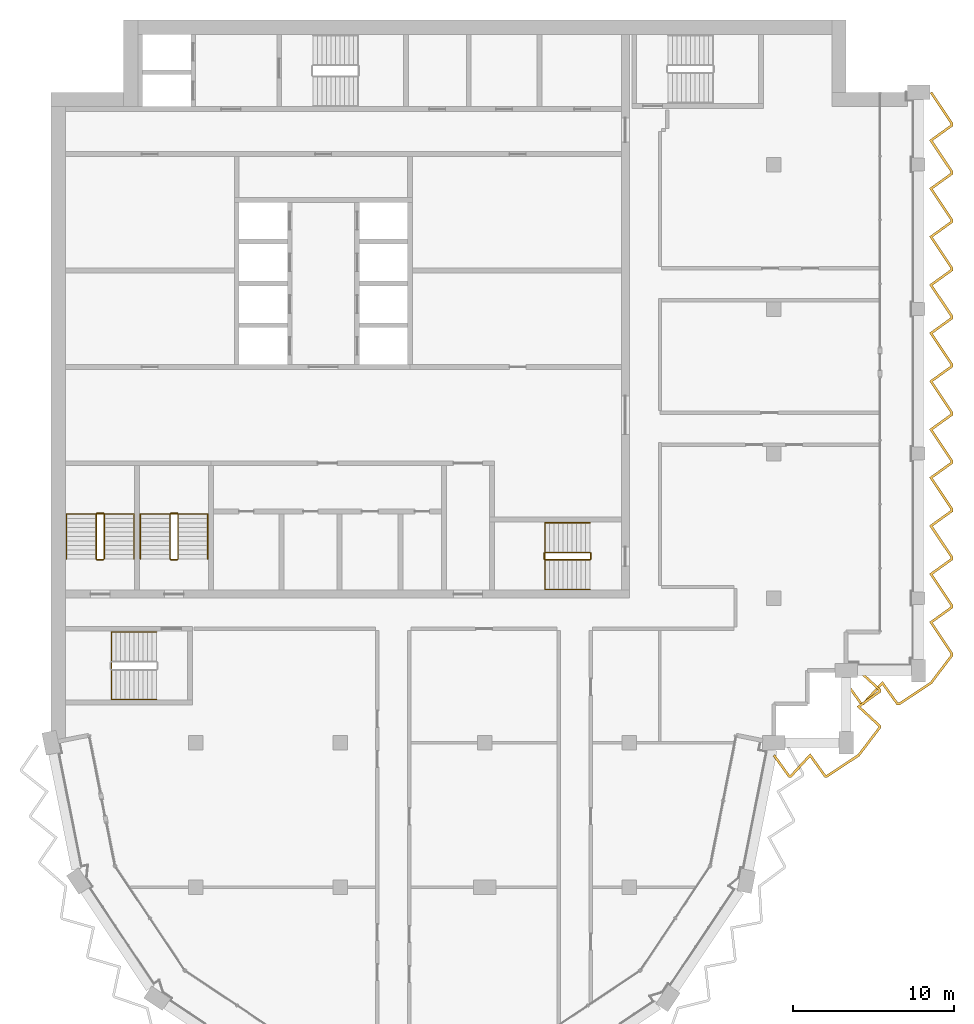
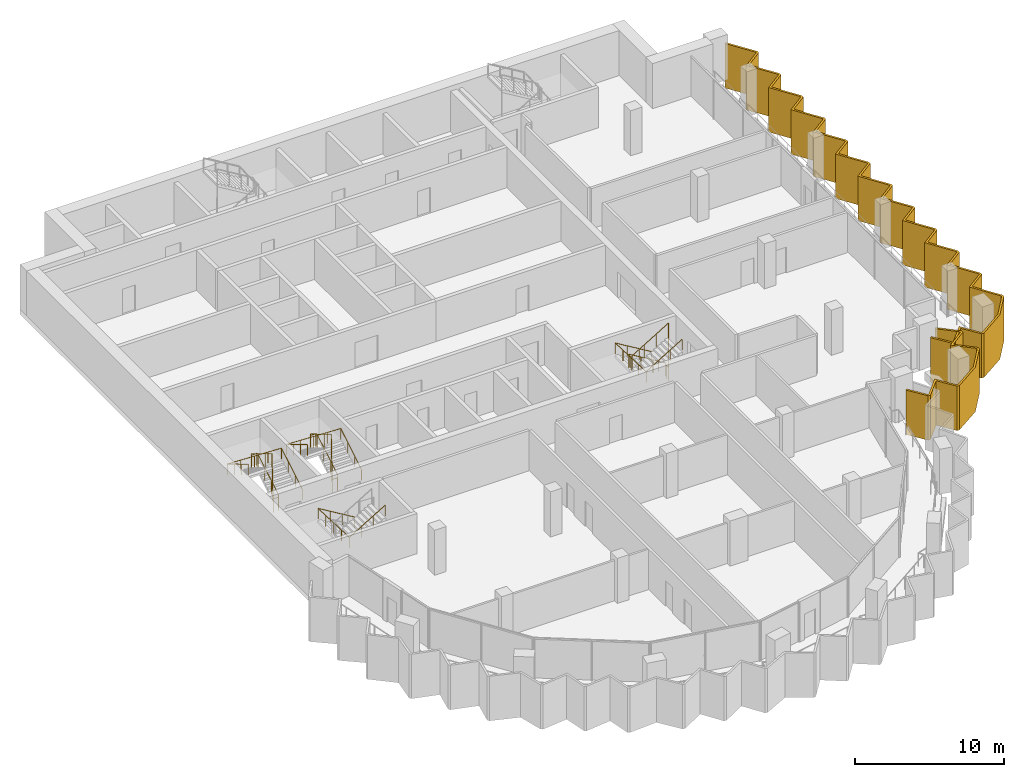
# One storey, part 13 of 14: 7 railings, 2 shading devices.
"""IFC4 building model written with IfcOpenShell, lengths in metres."""

from ifc_helpers import new_model, si_unit, direction, frame, origin, origin_2d, place, context, subcontext, project, spatial, polyline, circle, outline, extrude, material, layer, layer_set, type_object, element, save


model = new_model("IFC4")

# Units and contexts
model_context = context("Model", 3, precision=1e-05, world=origin(), true_north=direction((0.0, 1.0)))
body_context = subcontext(model_context, "Body", "Model", "MODEL_VIEW")
ifc_project = project(units=[si_unit("LENGTHUNIT", "METRE"), si_unit("AREAUNIT", "SQUARE_METRE"), si_unit("VOLUMEUNIT", "CUBIC_METRE"), si_unit("PLANEANGLEUNIT", "RADIAN"), si_unit("MASSUNIT", "GRAM", prefix="KILO")], contexts=[model_context])

# Site, building, storey
site_placement = place(None, origin())
site = spatial("IfcSite", under=ifc_project, at=site_placement, CompositionType="ELEMENT")
building_placement = place(site_placement, origin())
building = spatial("IfcBuilding", under=site, at=building_placement, Name="Hunhe Ridgeline Campus", CompositionType="ELEMENT")
storey_placement = place(building_placement, frame((0.0, 0.0, 284.5)))
storey = spatial("IfcBuildingStorey", under=building, at=storey_placement, Name="L73", CompositionType="ELEMENT", Elevation=284.5)

# Shading devices
ifc_material_1 = material(Name="Concrete C50", Category="concrete")
ifc_layer = layer(ifc_material_1, 0.14990234375)
ifc_layer_set = layer_set([ifc_layer], Name="Sawtooth concrete fin 150 Concrete C50")
shading_device_type = type_object("IfcShadingDeviceType", Name="Sawtooth concrete fin 150 Concrete C50", PredefinedType="USERDEFINED", material=ifc_layer_set)
shading_device_1_placement = place(storey_placement, frame((0.0, 0.0, -0.949951171875)))
element("IfcShadingDevice", 1, at=shading_device_1_placement, inside=storey, type_object=shading_device_type, Name="Concrete fin screen 2", ObjectType="FIN", PredefinedType="USERDEFINED", context=body_context, shape_type="SweptSolid", body=[
    extrude(outline(polyline([(45.060791015625, 53.268798828125), (44.939208984375, 53.18115234375), (45.896484375, 51.85009765625), (46.087890625, 51.85009765625), (47.242919921875, 53.1064453125), (48.146484375, 51.85009765625), (48.32763671875, 51.85009765625), (50.326904296875, 53.16943359375), (51.64990234375, 54.90966796875), (51.64990234375, 55.087890625), (50.3935546875, 56.242919921875), (51.64990234375, 57.146484375), (51.64990234375, 57.337890625), (50.32568359375, 58.55517578125), (50.224365234375, 58.44482421875), (51.5, 57.27197265625), (51.5, 57.223388671875), (50.156494140625, 56.257080078125), (51.5, 55.02197265625), (51.5, 54.960205078125), (50.22314453125, 53.280517578125), (48.282470703125, 52.0), (48.223388671875, 52.0), (47.257080078125, 53.343505859375), (46.02197265625, 52.0), (45.973388671875, 52.0), (45.060791015625, 53.268798828125)])), origin(), (0.0, 0.0, 1.0), 3.64990234375),
])
shading_device_2_placement = place(storey_placement, frame((0.0, 0.0, -0.949951171875)))
element("IfcShadingDevice", 2, at=shading_device_2_placement, inside=storey, type_object=shading_device_type, Name="Concrete fin screen 3", ObjectType="FIN", PredefinedType="USERDEFINED", context=body_context, shape_type="SweptSolid", body=[
    extrude(outline(polyline([(49.560791015625, 57.768798828125), (49.439208984375, 57.68115234375), (50.396484375, 56.35009765625), (50.587890625, 56.35009765625), (51.742919921875, 57.6064453125), (52.646484375, 56.35009765625), (52.82763671875, 56.35009765625), (54.826904296875, 57.66943359375), (56.14990234375, 59.40966796875), (56.14990234375, 59.577880859375), (54.877685546875, 61.4814453125), (56.14990234375, 62.396484375), (56.14990234375, 62.577880859375), (54.877685546875, 64.4814453125), (56.14990234375, 65.396484375), (56.14990234375, 65.577880859375), (54.877685546875, 67.4814453125), (56.14990234375, 68.396484375), (56.14990234375, 68.577880859375), (54.877685546875, 70.4814453125), (56.14990234375, 71.396484375), (56.14990234375, 71.577880859375), (54.877685546875, 73.4814453125), (56.14990234375, 74.396484375), (56.14990234375, 74.577880859375), (54.877685546875, 76.4814453125), (56.14990234375, 77.396484375), (56.14990234375, 77.577880859375), (54.877685546875, 79.4814453125), (56.14990234375, 80.396484375), (56.14990234375, 80.577880859375), (54.877685546875, 82.4814453125), (56.14990234375, 83.396484375), (56.14990234375, 83.577880859375), (54.877685546875, 85.4814453125), (56.14990234375, 86.396484375), (56.14990234375, 86.577880859375), (54.877685546875, 88.4814453125), (56.14990234375, 89.396484375), (56.14990234375, 89.577880859375), (54.877685546875, 91.4814453125), (56.14990234375, 92.396484375), (56.14990234375, 92.577880859375), (54.83740234375, 94.541748046875), (54.712646484375, 94.458251953125), (56.0, 92.5322265625), (56.0, 92.473388671875), (54.67236328125, 91.5185546875), (56.0, 89.5322265625), (56.0, 89.473388671875), (54.67236328125, 88.5185546875), (56.0, 86.5322265625), (56.0, 86.473388671875), (54.67236328125, 85.5185546875), (56.0, 83.5322265625), (56.0, 83.473388671875), (54.67236328125, 82.5185546875), (56.0, 80.5322265625), (56.0, 80.473388671875), (54.67236328125, 79.5185546875), (56.0, 77.5322265625), (56.0, 77.473388671875), (54.67236328125, 76.5185546875), (56.0, 74.5322265625), (56.0, 74.473388671875), (54.67236328125, 73.5185546875), (56.0, 71.5322265625), (56.0, 71.473388671875), (54.67236328125, 70.5185546875), (56.0, 68.5322265625), (56.0, 68.473388671875), (54.67236328125, 67.5185546875), (56.0, 65.5322265625), (56.0, 65.473388671875), (54.67236328125, 64.5185546875), (56.0, 62.5322265625), (56.0, 62.473388671875), (54.67236328125, 61.5185546875), (56.0, 59.5322265625), (56.0, 59.460205078125), (54.72314453125, 57.780517578125), (52.782470703125, 56.5), (52.723388671875, 56.5), (51.757080078125, 57.843505859375), (50.52197265625, 56.5), (50.473388671875, 56.5), (49.560791015625, 57.768798828125)])), origin(), (0.0, 0.0, 1.0), 3.64990234375),
])

# Railings
ifc_material_2 = material(Name="Stainless steel balustrade", Category="steel")
railing_type_1 = type_object("IfcRailingType", Name="Stair guard 1100 stainless", PredefinedType="GUARDRAIL", material=ifc_material_2)
railing_1_placement = place(storey_placement, frame((33.550048828125, 65.85009765625, 0.168212890625)))
element("IfcRailing", 3, at=railing_1_placement, inside=storey, type_object=railing_type_1, Name="L73 stair S2 guard", PredefinedType="GUARDRAIL", context=body_context, shape_type="SweptSolid", body=[
    extrude(circle(Radius=0.02392578125, at=origin_2d()), frame((0.0, 0.0, 1.076171875), z_axis=(-0.857242210791, 0.0, 0.514913383045), x_axis=(0.0, -1.0, 0.0)), (0.0, 0.0, 1.0), 3.266357421875),
    extrude(circle(Radius=0.02392578125, at=origin_2d()), frame((-2.800048828125, 0.0, 2.7578125), z_axis=(-0.707106781187, -0.707106781187, 0.0), x_axis=(0.707106781187, -0.707106781187, 0.0)), (0.0, 0.0, 1.0), 0.07080078125),
    extrude(circle(Radius=0.02392578125, at=origin_2d()), frame((-2.85009765625, -0.050048828125, 2.7578125), z_axis=(0.0, -1.0, 0.0), x_axis=(1.0, 0.0, 0.0)), (0.0, 0.0, 1.0), 0.35009765625),
    extrude(circle(Radius=0.02392578125, at=origin_2d()), frame((-2.85009765625, -0.400146484375, 2.7578125), z_axis=(0.274582412415, -0.274582412415, 0.921525364591), x_axis=(0.707106781187, 0.707106781187, 0.0)), (0.0, 0.0, 1.0), 0.182373046875),
    extrude(circle(Radius=0.02392578125, at=origin_2d()), frame((-2.800048828125, -0.4501953125, 2.92578125), z_axis=(0.857242210791, 0.0, 0.514913383045), x_axis=(0.0, 1.0, 0.0)), (0.0, 0.0, 1.0), 3.266357421875),
    extrude(circle(Radius=0.02392578125, at=origin_2d()), frame((0.0, -0.4501953125, 4.60791015625), z_axis=(0.013524414389, 0.013524414389, -0.999817073484), x_axis=(-0.707106781187, 0.707106781187, 0.0)), (0.0, 0.0, 1.0), 3.70068359375),
    extrude(circle(Radius=0.02392578125, at=origin_2d()), frame((0.050048828125, -0.400146484375, 0.90771484375), z_axis=(0.0, 1.0, 0.0), x_axis=(-1.0, 0.0, 0.0)), (0.0, 0.0, 1.0), 0.35009765625),
    extrude(circle(Radius=0.02099609375, at=origin_2d()), origin(), (0.0, 0.0, 1.0), 1.052001953125),
    extrude(circle(Radius=0.02099609375, at=origin_2d()), frame((-0.933349609375, 0.0, 0.560546875)), (0.0, 0.0, 1.0), 1.052001953125),
    extrude(circle(Radius=0.02099609375, at=origin_2d()), frame((-1.86669921875, 0.0, 1.121337890625)), (0.0, 0.0, 1.0), 1.052001953125),
    extrude(circle(Radius=0.02099609375, at=origin_2d()), frame((-2.800048828125, 0.0, 1.681884765625)), (0.0, 0.0, 1.0), 1.052001953125),
    extrude(circle(Radius=0.02099609375, at=origin_2d()), frame((-2.85009765625, -0.050048828125, 1.681884765625)), (0.0, 0.0, 1.0), 1.052001953125),
    extrude(circle(Radius=0.02099609375, at=origin_2d()), frame((-2.85009765625, -0.400146484375, 1.681884765625)), (0.0, 0.0, 1.0), 1.052001953125),
    extrude(circle(Radius=0.02099609375, at=origin_2d()), frame((-2.800048828125, -0.4501953125, 1.849853515625)), (0.0, 0.0, 1.0), 1.052001953125),
    extrude(circle(Radius=0.02099609375, at=origin_2d()), frame((-1.86669921875, -0.4501953125, 2.410400390625)), (0.0, 0.0, 1.0), 1.052001953125),
    extrude(circle(Radius=0.02099609375, at=origin_2d()), frame((-0.933349609375, -0.4501953125, 2.97119140625)), (0.0, 0.0, 1.0), 1.052001953125),
    extrude(circle(Radius=0.02099609375, at=origin_2d()), frame((0.0, -0.4501953125, 3.53173828125)), (0.0, 0.0, 1.0), 1.052001953125),
    extrude(circle(Radius=0.02099609375, at=origin_2d()), frame((0.012451171875, -0.437744140625, 2.606689453125)), (0.0, 0.0, 1.0), 1.052001953125),
    extrude(circle(Radius=0.02099609375, at=origin_2d()), frame((0.02490234375, -0.42529296875, 1.681640625)), (0.0, 0.0, 1.0), 1.052001953125),
    extrude(circle(Radius=0.02099609375, at=origin_2d()), frame((0.03759765625, -0.41259765625, 0.7568359375)), (0.0, 0.0, 1.0), 1.052001953125),
    extrude(circle(Radius=0.02099609375, at=origin_2d()), frame((0.050048828125, -0.400146484375, -0.168212890625)), (0.0, 0.0, 1.0), 1.052001953125),
    extrude(circle(Radius=0.02099609375, at=origin_2d()), frame((0.050048828125, -0.050048828125, -0.168212890625)), (0.0, 0.0, 1.0), 1.052001953125),
])
railing_2_placement = place(storey_placement, frame((3.300048828125, 65.449951171875, 0.168212890625)))
element("IfcRailing", 4, at=railing_2_placement, inside=storey, type_object=railing_type_1, Name="L73 stair S3 guard", PredefinedType="GUARDRAIL", context=body_context, shape_type="SweptSolid", body=[
    extrude(circle(Radius=0.02392578125, at=origin_2d()), frame((0.0, 0.0, 1.076171875), z_axis=(0.0, 0.857242210791, 0.514913383045), x_axis=(-1.0, 0.0, 0.0)), (0.0, 0.0, 1.0), 3.266357421875),
    extrude(circle(Radius=0.02392578125, at=origin_2d()), frame((0.0, 2.800048828125, 2.7578125), z_axis=(-0.707106781187, 0.707106781187, 0.0), x_axis=(-0.707106781187, -0.707106781187, 0.0)), (0.0, 0.0, 1.0), 0.07080078125),
    extrude(circle(Radius=0.02392578125, at=origin_2d()), frame((-0.050048828125, 2.85009765625, 2.7578125), z_axis=(-1.0, 0.0, 0.0), x_axis=(0.0, -1.0, 0.0)), (0.0, 0.0, 1.0), 0.39990234375),
    extrude(circle(Radius=0.02392578125, at=origin_2d()), frame((-0.449951171875, 2.85009765625, 2.7578125), z_axis=(-0.274582412415, -0.274582412415, 0.921525364591), x_axis=(0.707106781187, -0.707106781187, 0.0)), (0.0, 0.0, 1.0), 0.182373046875),
    extrude(circle(Radius=0.02392578125, at=origin_2d()), frame((-0.5, 2.800048828125, 2.92578125), z_axis=(0.0, -0.857242210791, 0.514913383045), x_axis=(1.0, 0.0, 0.0)), (0.0, 0.0, 1.0), 3.266357421875),
    extrude(circle(Radius=0.02392578125, at=origin_2d()), frame((-0.5, 0.0, 4.60791015625), z_axis=(0.013524414389, -0.013524414389, -0.999817073484), x_axis=(0.707106781187, 0.707106781187, 0.0)), (0.0, 0.0, 1.0), 3.70068359375),
    extrude(circle(Radius=0.02392578125, at=origin_2d()), frame((-0.449951171875, -0.050048828125, 0.90771484375), z_axis=(1.0, 0.0, 0.0), x_axis=(0.0, 1.0, 0.0)), (0.0, 0.0, 1.0), 0.39990234375),
    extrude(circle(Radius=0.02099609375, at=origin_2d()), origin(), (0.0, 0.0, 1.0), 1.052001953125),
    extrude(circle(Radius=0.02099609375, at=origin_2d()), frame((0.0, 0.933349609375, 0.560546875)), (0.0, 0.0, 1.0), 1.052001953125),
    extrude(circle(Radius=0.02099609375, at=origin_2d()), frame((0.0, 1.86669921875, 1.121337890625)), (0.0, 0.0, 1.0), 1.052001953125),
    extrude(circle(Radius=0.02099609375, at=origin_2d()), frame((0.0, 2.800048828125, 1.681884765625)), (0.0, 0.0, 1.0), 1.052001953125),
    extrude(circle(Radius=0.02099609375, at=origin_2d()), frame((-0.050048828125, 2.85009765625, 1.681884765625)), (0.0, 0.0, 1.0), 1.052001953125),
    extrude(circle(Radius=0.02099609375, at=origin_2d()), frame((-0.449951171875, 2.85009765625, 1.681884765625)), (0.0, 0.0, 1.0), 1.052001953125),
    extrude(circle(Radius=0.02099609375, at=origin_2d()), frame((-0.5, 2.800048828125, 1.849853515625)), (0.0, 0.0, 1.0), 1.052001953125),
    extrude(circle(Radius=0.02099609375, at=origin_2d()), frame((-0.5, 1.86669921875, 2.410400390625)), (0.0, 0.0, 1.0), 1.052001953125),
    extrude(circle(Radius=0.02099609375, at=origin_2d()), frame((-0.5, 0.933349609375, 2.97119140625)), (0.0, 0.0, 1.0), 1.052001953125),
    extrude(circle(Radius=0.02099609375, at=origin_2d()), frame((-0.5, 0.0, 3.53173828125)), (0.0, 0.0, 1.0), 1.052001953125),
    extrude(circle(Radius=0.02099609375, at=origin_2d()), frame((-0.487548828125, -0.012451171875, 2.606689453125)), (0.0, 0.0, 1.0), 1.052001953125),
    extrude(circle(Radius=0.02099609375, at=origin_2d()), frame((-0.47509765625, -0.02490234375, 1.681640625)), (0.0, 0.0, 1.0), 1.052001953125),
    extrude(circle(Radius=0.02099609375, at=origin_2d()), frame((-0.46240234375, -0.03759765625, 0.7568359375)), (0.0, 0.0, 1.0), 1.052001953125),
    extrude(circle(Radius=0.02099609375, at=origin_2d()), frame((-0.449951171875, -0.050048828125, -0.168212890625)), (0.0, 0.0, 1.0), 1.052001953125),
    extrude(circle(Radius=0.02099609375, at=origin_2d()), frame((-0.050048828125, -0.050048828125, -0.168212890625)), (0.0, 0.0, 1.0), 1.052001953125),
])
railing_3_placement = place(storey_placement, frame((7.89990234375, 65.449951171875, 0.168212890625)))
element("IfcRailing", 5, at=railing_3_placement, inside=storey, type_object=railing_type_1, Name="L73 stair S4 guard", PredefinedType="GUARDRAIL", context=body_context, shape_type="SweptSolid", body=[
    extrude(circle(Radius=0.02392578125, at=origin_2d()), frame((0.0, 0.0, 1.076171875), z_axis=(0.0, 0.857242210791, 0.514913383045), x_axis=(-1.0, 0.0, 0.0)), (0.0, 0.0, 1.0), 3.266357421875),
    extrude(circle(Radius=0.02392578125, at=origin_2d()), frame((0.0, 2.800048828125, 2.7578125), z_axis=(-0.705375805398, 0.708833529934, 0.0), x_axis=(-0.708833529934, -0.705375805398, 0.0)), (0.0, 0.0, 1.0), 0.070556640625),
    extrude(circle(Radius=0.02392578125, at=origin_2d()), frame((-0.0498046875, 2.85009765625, 2.7578125), z_axis=(-1.0, 0.0, 0.0), x_axis=(0.0, -1.0, 0.0)), (0.0, 0.0, 1.0), 0.400146484375),
    extrude(circle(Radius=0.02392578125, at=origin_2d()), frame((-0.449951171875, 2.85009765625, 2.7578125), z_axis=(-0.274582412415, -0.274582412415, 0.921525364591), x_axis=(0.707106781187, -0.707106781187, 0.0)), (0.0, 0.0, 1.0), 0.182373046875),
    extrude(circle(Radius=0.02392578125, at=origin_2d()), frame((-0.5, 2.800048828125, 2.92578125), z_axis=(0.0, -0.857242210791, 0.514913383045), x_axis=(1.0, 0.0, 0.0)), (0.0, 0.0, 1.0), 3.266357421875),
    extrude(circle(Radius=0.02392578125, at=origin_2d()), frame((-0.5, 0.0, 4.60791015625), z_axis=(0.013524414389, -0.013524414389, -0.999817073484), x_axis=(0.707106781187, 0.707106781187, 0.0)), (0.0, 0.0, 1.0), 3.70068359375),
    extrude(circle(Radius=0.02392578125, at=origin_2d()), frame((-0.449951171875, -0.050048828125, 0.90771484375), z_axis=(1.0, 0.0, 0.0), x_axis=(0.0, 1.0, 0.0)), (0.0, 0.0, 1.0), 0.400146484375),
    extrude(circle(Radius=0.02099609375, at=origin_2d()), origin(), (0.0, 0.0, 1.0), 1.052001953125),
    extrude(circle(Radius=0.02099609375, at=origin_2d()), frame((0.0, 0.933349609375, 0.560546875)), (0.0, 0.0, 1.0), 1.052001953125),
    extrude(circle(Radius=0.02099609375, at=origin_2d()), frame((0.0, 1.86669921875, 1.121337890625)), (0.0, 0.0, 1.0), 1.052001953125),
    extrude(circle(Radius=0.02099609375, at=origin_2d()), frame((0.0, 2.800048828125, 1.681884765625)), (0.0, 0.0, 1.0), 1.052001953125),
    extrude(circle(Radius=0.02099609375, at=origin_2d()), frame((-0.0498046875, 2.85009765625, 1.681884765625)), (0.0, 0.0, 1.0), 1.052001953125),
    extrude(circle(Radius=0.02099609375, at=origin_2d()), frame((-0.449951171875, 2.85009765625, 1.681884765625)), (0.0, 0.0, 1.0), 1.052001953125),
    extrude(circle(Radius=0.02099609375, at=origin_2d()), frame((-0.5, 2.800048828125, 1.849853515625)), (0.0, 0.0, 1.0), 1.052001953125),
    extrude(circle(Radius=0.02099609375, at=origin_2d()), frame((-0.5, 1.86669921875, 2.410400390625)), (0.0, 0.0, 1.0), 1.052001953125),
    extrude(circle(Radius=0.02099609375, at=origin_2d()), frame((-0.5, 0.933349609375, 2.97119140625)), (0.0, 0.0, 1.0), 1.052001953125),
    extrude(circle(Radius=0.02099609375, at=origin_2d()), frame((-0.5, 0.0, 3.53173828125)), (0.0, 0.0, 1.0), 1.052001953125),
    extrude(circle(Radius=0.02099609375, at=origin_2d()), frame((-0.487548828125, -0.012451171875, 2.606689453125)), (0.0, 0.0, 1.0), 1.052001953125),
    extrude(circle(Radius=0.02099609375, at=origin_2d()), frame((-0.47509765625, -0.02490234375, 1.681640625)), (0.0, 0.0, 1.0), 1.052001953125),
    extrude(circle(Radius=0.02099609375, at=origin_2d()), frame((-0.46240234375, -0.03759765625, 0.7568359375)), (0.0, 0.0, 1.0), 1.052001953125),
    extrude(circle(Radius=0.02099609375, at=origin_2d()), frame((-0.449951171875, -0.050048828125, -0.168212890625)), (0.0, 0.0, 1.0), 1.052001953125),
    extrude(circle(Radius=0.02099609375, at=origin_2d()), frame((-0.0498046875, -0.050048828125, -0.168212890625)), (0.0, 0.0, 1.0), 1.052001953125),
])
ifc_material_3 = material(Name="Stainless steel handrail", Category="steel")
railing_type_2 = type_object("IfcRailingType", Name="Stair handrail 900 stainless", PredefinedType="HANDRAIL", material=ifc_material_3)
railing_4_placement = place(storey_placement, frame((33.550048828125, 67.699951171875, 0.168212890625)))
element("IfcRailing", 6, at=railing_4_placement, inside=storey, type_object=railing_type_2, Name="L73 stair S2 handrail", PredefinedType="HANDRAIL", context=body_context, shape_type="SweptSolid", body=[
    extrude(circle(Radius=0.02392578125, at=origin_2d()), frame((0.0, 0.0, 0.8759765625), z_axis=(-0.857242210791, 0.0, 0.514913383045), x_axis=(0.0, -1.0, 0.0)), (0.0, 0.0, 1.0), 3.266357421875),
    extrude(circle(Radius=0.02392578125, at=origin_2d()), frame((-2.800048828125, 0.0, 2.5576171875), z_axis=(0.0, -0.999181878101, 0.040442236271), x_axis=(1.0, 0.0, 0.0)), (0.0, 0.0, 1.0), 4.1533203125),
    extrude(circle(Radius=0.02392578125, at=origin_2d()), frame((-2.800048828125, -4.14990234375, 2.7255859375), z_axis=(0.857242210791, 0.0, 0.514913383045), x_axis=(0.0, 1.0, 0.0)), (0.0, 0.0, 1.0), 3.266357421875),
    extrude(circle(Radius=0.02099609375, at=origin_2d()), origin(), (0.0, 0.0, 1.0), 0.851806640625),
    extrude(circle(Radius=0.02099609375, at=origin_2d()), frame((-0.933349609375, 0.0, 0.560546875)), (0.0, 0.0, 1.0), 0.851806640625),
    extrude(circle(Radius=0.02099609375, at=origin_2d()), frame((-1.86669921875, 0.0, 1.121337890625)), (0.0, 0.0, 1.0), 0.851806640625),
    extrude(circle(Radius=0.02099609375, at=origin_2d()), frame((-2.800048828125, 0.0, 1.681884765625)), (0.0, 0.0, 1.0), 0.851806640625),
    extrude(circle(Radius=0.02099609375, at=origin_2d()), frame((-2.800048828125, -1.03759765625, 1.723876953125)), (0.0, 0.0, 1.0), 0.851806640625),
    extrude(circle(Radius=0.02099609375, at=origin_2d()), frame((-2.800048828125, -2.074951171875, 1.765869140625)), (0.0, 0.0, 1.0), 0.851806640625),
    extrude(circle(Radius=0.02099609375, at=origin_2d()), frame((-2.800048828125, -3.1123046875, 1.807861328125)), (0.0, 0.0, 1.0), 0.851806640625),
    extrude(circle(Radius=0.02099609375, at=origin_2d()), frame((-2.800048828125, -4.14990234375, 1.849853515625)), (0.0, 0.0, 1.0), 0.851806640625),
    extrude(circle(Radius=0.02099609375, at=origin_2d()), frame((-1.86669921875, -4.14990234375, 2.410400390625)), (0.0, 0.0, 1.0), 0.851806640625),
    extrude(circle(Radius=0.02099609375, at=origin_2d()), frame((-0.933349609375, -4.14990234375, 2.97119140625)), (0.0, 0.0, 1.0), 0.851806640625),
    extrude(circle(Radius=0.02099609375, at=origin_2d()), frame((0.0, -4.14990234375, 3.53173828125)), (0.0, 0.0, 1.0), 0.851806640625),
])
railing_5_placement = place(storey_placement, frame((5.14990234375, 65.449951171875, 0.168212890625)))
element("IfcRailing", 7, at=railing_5_placement, inside=storey, type_object=railing_type_2, Name="L73 stair S3 handrail", PredefinedType="HANDRAIL", context=body_context, shape_type="SweptSolid", body=[
    extrude(circle(Radius=0.02392578125, at=origin_2d()), frame((0.0, 0.0, 0.8759765625), z_axis=(0.0, 0.857242210791, 0.514913383045), x_axis=(-1.0, 0.0, 0.0)), (0.0, 0.0, 1.0), 3.266357421875),
    extrude(circle(Radius=0.02392578125, at=origin_2d()), frame((0.0, 2.800048828125, 2.5576171875), z_axis=(-0.99920123705, 0.0, 0.039961079526), x_axis=(0.0, -1.0, 0.0)), (0.0, 0.0, 1.0), 4.203369140625),
    extrude(circle(Radius=0.02392578125, at=origin_2d()), frame((-4.199951171875, 2.800048828125, 2.7255859375), z_axis=(0.0, -0.857242210791, 0.514913383045), x_axis=(1.0, 0.0, 0.0)), (0.0, 0.0, 1.0), 3.266357421875),
    extrude(circle(Radius=0.02099609375, at=origin_2d()), origin(), (0.0, 0.0, 1.0), 0.851806640625),
    extrude(circle(Radius=0.02099609375, at=origin_2d()), frame((0.0, 0.933349609375, 0.560546875)), (0.0, 0.0, 1.0), 0.851806640625),
    extrude(circle(Radius=0.02099609375, at=origin_2d()), frame((0.0, 1.86669921875, 1.121337890625)), (0.0, 0.0, 1.0), 0.851806640625),
    extrude(circle(Radius=0.02099609375, at=origin_2d()), frame((0.0, 2.800048828125, 1.681884765625)), (0.0, 0.0, 1.0), 0.851806640625),
    extrude(circle(Radius=0.02099609375, at=origin_2d()), frame((-1.050048828125, 2.800048828125, 1.723876953125)), (0.0, 0.0, 1.0), 0.851806640625),
    extrude(circle(Radius=0.02099609375, at=origin_2d()), frame((-2.10009765625, 2.800048828125, 1.765869140625)), (0.0, 0.0, 1.0), 0.851806640625),
    extrude(circle(Radius=0.02099609375, at=origin_2d()), frame((-3.14990234375, 2.800048828125, 1.807861328125)), (0.0, 0.0, 1.0), 0.851806640625),
    extrude(circle(Radius=0.02099609375, at=origin_2d()), frame((-4.199951171875, 2.800048828125, 1.849853515625)), (0.0, 0.0, 1.0), 0.851806640625),
    extrude(circle(Radius=0.02099609375, at=origin_2d()), frame((-4.199951171875, 1.86669921875, 2.410400390625)), (0.0, 0.0, 1.0), 0.851806640625),
    extrude(circle(Radius=0.02099609375, at=origin_2d()), frame((-4.199951171875, 0.933349609375, 2.97119140625)), (0.0, 0.0, 1.0), 0.851806640625),
    extrude(circle(Radius=0.02099609375, at=origin_2d()), frame((-4.199951171875, 0.0, 3.53173828125)), (0.0, 0.0, 1.0), 0.851806640625),
])
railing_6_placement = place(storey_placement, frame((9.75, 65.449951171875, 0.168212890625)))
element("IfcRailing", 8, at=railing_6_placement, inside=storey, type_object=railing_type_2, Name="L73 stair S4 handrail", PredefinedType="HANDRAIL", context=body_context, shape_type="SweptSolid", body=[
    extrude(circle(Radius=0.02392578125, at=origin_2d()), frame((0.0, 0.0, 0.8759765625), z_axis=(0.0, 0.857242210791, 0.514913383045), x_axis=(-1.0, 0.0, 0.0)), (0.0, 0.0, 1.0), 3.266357421875),
    extrude(circle(Radius=0.02392578125, at=origin_2d()), frame((0.0, 2.800048828125, 2.5576171875), z_axis=(-0.99920123705, 0.0, 0.039961079526), x_axis=(0.0, -1.0, 0.0)), (0.0, 0.0, 1.0), 4.203369140625),
    extrude(circle(Radius=0.02392578125, at=origin_2d()), frame((-4.199951171875, 2.800048828125, 2.7255859375), z_axis=(0.0, -0.857242210791, 0.514913383045), x_axis=(1.0, 0.0, 0.0)), (0.0, 0.0, 1.0), 3.266357421875),
    extrude(circle(Radius=0.02099609375, at=origin_2d()), origin(), (0.0, 0.0, 1.0), 0.851806640625),
    extrude(circle(Radius=0.02099609375, at=origin_2d()), frame((0.0, 0.933349609375, 0.560546875)), (0.0, 0.0, 1.0), 0.851806640625),
    extrude(circle(Radius=0.02099609375, at=origin_2d()), frame((0.0, 1.86669921875, 1.121337890625)), (0.0, 0.0, 1.0), 0.851806640625),
    extrude(circle(Radius=0.02099609375, at=origin_2d()), frame((0.0, 2.800048828125, 1.681884765625)), (0.0, 0.0, 1.0), 0.851806640625),
    extrude(circle(Radius=0.02099609375, at=origin_2d()), frame((-1.050048828125, 2.800048828125, 1.723876953125)), (0.0, 0.0, 1.0), 0.851806640625),
    extrude(circle(Radius=0.02099609375, at=origin_2d()), frame((-2.10009765625, 2.800048828125, 1.765869140625)), (0.0, 0.0, 1.0), 0.851806640625),
    extrude(circle(Radius=0.02099609375, at=origin_2d()), frame((-3.14990234375, 2.800048828125, 1.807861328125)), (0.0, 0.0, 1.0), 0.851806640625),
    extrude(circle(Radius=0.02099609375, at=origin_2d()), frame((-4.199951171875, 2.800048828125, 1.849853515625)), (0.0, 0.0, 1.0), 0.851806640625),
    extrude(circle(Radius=0.02099609375, at=origin_2d()), frame((-4.199951171875, 1.86669921875, 2.410400390625)), (0.0, 0.0, 1.0), 0.851806640625),
    extrude(circle(Radius=0.02099609375, at=origin_2d()), frame((-4.199951171875, 0.933349609375, 2.97119140625)), (0.0, 0.0, 1.0), 0.851806640625),
    extrude(circle(Radius=0.02099609375, at=origin_2d()), frame((-4.199951171875, 0.0, 3.53173828125)), (0.0, 0.0, 1.0), 0.851806640625),
])
railing_7_placement = place(storey_placement, frame((6.550048828125, 60.89990234375, 0.168212890625)))
element("IfcRailing", 9, at=railing_7_placement, inside=storey, type_object=railing_type_2, Name="L73 stair W2 handrail", PredefinedType="HANDRAIL", context=body_context, shape_type="SweptSolid", body=[
    extrude(circle(Radius=0.02392578125, at=origin_2d()), frame((0.0, 0.0, 0.8759765625), z_axis=(-0.857242210791, 0.0, 0.514913383045), x_axis=(0.0, -1.0, 0.0)), (0.0, 0.0, 1.0), 3.266357421875),
    extrude(circle(Radius=0.02392578125, at=origin_2d()), frame((-2.800048828125, 0.0, 2.5576171875), z_axis=(0.0, -0.99920123705, 0.039961079526), x_axis=(1.0, 0.0, 0.0)), (0.0, 0.0, 1.0), 4.203369140625),
    extrude(circle(Radius=0.02392578125, at=origin_2d()), frame((-2.800048828125, -4.199951171875, 2.7255859375), z_axis=(0.857242210791, 0.0, 0.514913383045), x_axis=(0.0, 1.0, 0.0)), (0.0, 0.0, 1.0), 3.266357421875),
    extrude(circle(Radius=0.02099609375, at=origin_2d()), origin(), (0.0, 0.0, 1.0), 0.851806640625),
    extrude(circle(Radius=0.02099609375, at=origin_2d()), frame((-0.933349609375, 0.0, 0.560546875)), (0.0, 0.0, 1.0), 0.851806640625),
    extrude(circle(Radius=0.02099609375, at=origin_2d()), frame((-1.86669921875, 0.0, 1.121337890625)), (0.0, 0.0, 1.0), 0.851806640625),
    extrude(circle(Radius=0.02099609375, at=origin_2d()), frame((-2.800048828125, 0.0, 1.681884765625)), (0.0, 0.0, 1.0), 0.851806640625),
    extrude(circle(Radius=0.02099609375, at=origin_2d()), frame((-2.800048828125, -1.050048828125, 1.723876953125)), (0.0, 0.0, 1.0), 0.851806640625),
    extrude(circle(Radius=0.02099609375, at=origin_2d()), frame((-2.800048828125, -2.10009765625, 1.765869140625)), (0.0, 0.0, 1.0), 0.851806640625),
    extrude(circle(Radius=0.02099609375, at=origin_2d()), frame((-2.800048828125, -3.14990234375, 1.807861328125)), (0.0, 0.0, 1.0), 0.851806640625),
    extrude(circle(Radius=0.02099609375, at=origin_2d()), frame((-2.800048828125, -4.199951171875, 1.849853515625)), (0.0, 0.0, 1.0), 0.851806640625),
    extrude(circle(Radius=0.02099609375, at=origin_2d()), frame((-1.86669921875, -4.199951171875, 2.410400390625)), (0.0, 0.0, 1.0), 0.851806640625),
    extrude(circle(Radius=0.02099609375, at=origin_2d()), frame((-0.933349609375, -4.199951171875, 2.97119140625)), (0.0, 0.0, 1.0), 0.851806640625),
    extrude(circle(Radius=0.02099609375, at=origin_2d()), frame((0.0, -4.199951171875, 3.53173828125)), (0.0, 0.0, 1.0), 0.851806640625),
])

save(model, "model.ifc")
